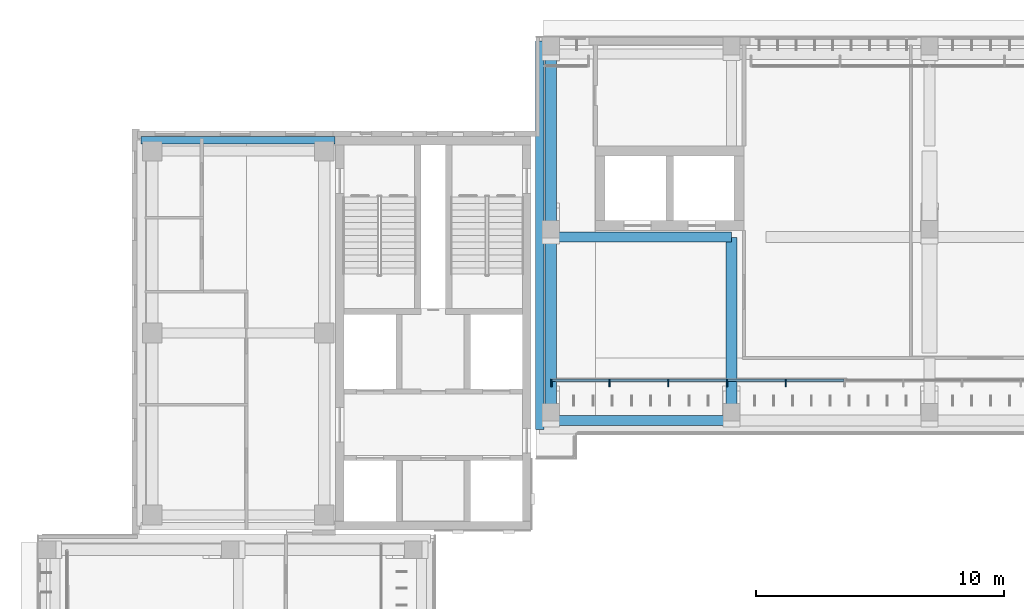
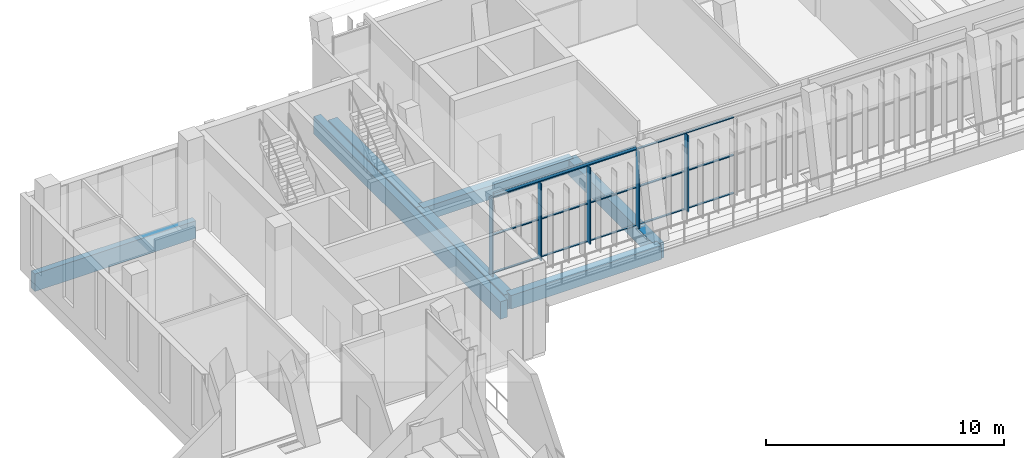
# One storey, part 22 of 74: 20 members, 8 beams, 1 element without a shape of its own.
"""IFC4 building model written with IfcOpenShell, lengths in metres."""

from ifc_helpers import new_model, si_unit, direction, frame, origin, origin_2d, place, context, subcontext, project, spatial, rectangle, hollow_rectangle, extrude, material, material_profile, profile_set, type_object, element, aggregate, save


model = new_model("IFC4")

# Units and contexts
model_context = context("Model", 3, precision=1e-05, world=origin(), true_north=direction((0.0, 1.0)))
body_context = subcontext(model_context, "Body", "Model", "MODEL_VIEW")
ifc_project = project(units=[si_unit("LENGTHUNIT", "METRE"), si_unit("AREAUNIT", "SQUARE_METRE"), si_unit("VOLUMEUNIT", "CUBIC_METRE"), si_unit("PLANEANGLEUNIT", "RADIAN"), si_unit("MASSUNIT", "GRAM", prefix="KILO")], contexts=[model_context])

# Site, building, storey
site_placement = place(None, origin())
site = spatial("IfcSite", under=ifc_project, at=site_placement, CompositionType="ELEMENT")
building_placement = place(site_placement, origin())
building = spatial("IfcBuilding", under=site, at=building_placement, Name="Lantern Court Media Centre", CompositionType="ELEMENT")
storey_placement = place(building_placement, frame((0.0, 0.0, 19.199951171875)))
storey = spatial("IfcBuildingStorey", under=building, at=storey_placement, Name="L04", CompositionType="ELEMENT", Elevation=19.199951171875)

# Curtain wall, members
ifc_material_1 = material(Name="Curtain wall bay 2400")
curtain_wall_type = type_object("IfcCurtainWallType", Name="Curtain wall bay 2400", PredefinedType="NOTDEFINED", material=ifc_material_1)
curtain_wall_placement = place(storey_placement, origin())
curtain_wall = element("IfcCurtainWall", 1, at=curtain_wall_placement, inside=storey, type_object=curtain_wall_type, Name="Curtain wall N inner L04", PredefinedType="NOTDEFINED")
ifc_material_2 = material(Name="Anodised aluminium", Category="aluminium")
ifc_material_profile_1 = material_profile(ifc_material_2, rectangle(XDim=0.300048828125, YDim=0.050048828125, at=origin_2d()), Name="AL 50x300")
ifc_profile_set_1 = profile_set([ifc_material_profile_1], Name="Anodised aluminium")
member_type_1 = type_object("IfcMemberType", Name="Curtain wall mullion 50x300", PredefinedType="MULLION", material=ifc_profile_set_1)
member_1_placement = place(storey_placement, frame((24.72509765625, 102.030029296875, 0.0), z_axis=(0.0, 0.0, 1.0), x_axis=(0.0, 1.0, 0.0)))
member_1 = element("IfcMember", 2, at=member_1_placement, type_object=member_type_1, Name="CW2 mullion 1", PredefinedType="MULLION", context=body_context, shape_type="SweptSolid", body=[
    extrude(rectangle(XDim=0.300048828125, YDim=0.050048828125, at=origin_2d()), origin(), (0.0, 0.0, 1.0), 3.949951171875),
])
member_2_placement = place(storey_placement, frame((27.073974609375, 102.030029296875, 0.0), z_axis=(0.0, 0.0, 1.0), x_axis=(0.0, 1.0, 0.0)))
member_2 = element("IfcMember", 3, at=member_2_placement, type_object=member_type_1, Name="CW2 mullion 2", PredefinedType="MULLION", context=body_context, shape_type="SweptSolid", body=[
    extrude(rectangle(XDim=0.300048828125, YDim=0.050048828125, at=origin_2d()), origin(), (0.0, 0.0, 1.0), 3.949951171875),
])
member_3_placement = place(storey_placement, frame((29.44775390625, 102.030029296875, 0.0), z_axis=(0.0, 0.0, 1.0), x_axis=(0.0, 1.0, 0.0)))
member_3 = element("IfcMember", 4, at=member_3_placement, type_object=member_type_1, Name="CW2 mullion 3", PredefinedType="MULLION", context=body_context, shape_type="SweptSolid", body=[
    extrude(rectangle(XDim=0.300048828125, YDim=0.050048828125, at=origin_2d()), origin(), (0.0, 0.0, 1.0), 3.949951171875),
])
member_4_placement = place(storey_placement, frame((31.82177734375, 102.030029296875, 0.0), z_axis=(0.0, 0.0, 1.0), x_axis=(0.0, 1.0, 0.0)))
member_4 = element("IfcMember", 5, at=member_4_placement, type_object=member_type_1, Name="CW2 mullion 4", PredefinedType="MULLION", context=body_context, shape_type="SweptSolid", body=[
    extrude(rectangle(XDim=0.300048828125, YDim=0.050048828125, at=origin_2d()), origin(), (0.0, 0.0, 1.0), 3.949951171875),
])
member_5_placement = place(storey_placement, frame((34.195556640625, 102.030029296875, 0.0), z_axis=(0.0, 0.0, 1.0), x_axis=(0.0, 1.0, 0.0)))
member_5 = element("IfcMember", 6, at=member_5_placement, type_object=member_type_1, Name="CW2 mullion 5", PredefinedType="MULLION", context=body_context, shape_type="SweptSolid", body=[
    extrude(rectangle(XDim=0.300048828125, YDim=0.050048828125, at=origin_2d()), origin(), (0.0, 0.0, 1.0), 3.949951171875),
])
ifc_material_profile_2 = material_profile(ifc_material_2, rectangle(XDim=0.10009765625, YDim=0.050048828125, at=origin_2d()), Name="AL 50x100")
ifc_profile_set_2 = profile_set([ifc_material_profile_2], Name="Anodised aluminium")
member_type_2 = type_object("IfcMemberType", Name="Curtain wall transom 100x50", PredefinedType="USERDEFINED", material=ifc_profile_set_2)
member_6_placement = place(storey_placement, frame((24.75, 102.14990234375, 0.025146484375), z_axis=(1.0, 0.0, 0.0), x_axis=(0.0, 1.0, 0.0)))
member_6 = element("IfcMember", 7, at=member_6_placement, type_object=member_type_2, Name="CW2 transom 1.1", ObjectType="TRANSOM", PredefinedType="USERDEFINED", context=body_context, shape_type="SweptSolid", body=[
    extrude(rectangle(XDim=0.10009765625, YDim=0.050048828125, at=origin_2d()), origin(), (0.0, 0.0, 1.0), 2.298828125),
])
member_7_placement = place(storey_placement, frame((24.75, 102.14990234375, 1.97509765625), z_axis=(1.0, 0.0, 0.0), x_axis=(0.0, 1.0, 0.0)))
member_7 = element("IfcMember", 8, at=member_7_placement, type_object=member_type_2, Name="CW2 transom 1.2", ObjectType="TRANSOM", PredefinedType="USERDEFINED", context=body_context, shape_type="SweptSolid", body=[
    extrude(rectangle(XDim=0.10009765625, YDim=0.050048828125, at=origin_2d()), origin(), (0.0, 0.0, 1.0), 2.298828125),
])
member_8_placement = place(storey_placement, frame((24.75, 102.14990234375, 3.925048828125), z_axis=(1.0, 0.0, 0.0), x_axis=(0.0, 1.0, 0.0)))
member_8 = element("IfcMember", 9, at=member_8_placement, type_object=member_type_2, Name="CW2 transom 1.3", ObjectType="TRANSOM", PredefinedType="USERDEFINED", context=body_context, shape_type="SweptSolid", body=[
    extrude(rectangle(XDim=0.10009765625, YDim=0.050048828125, at=origin_2d()), origin(), (0.0, 0.0, 1.0), 2.298828125),
])
member_9_placement = place(storey_placement, frame((27.098876953125, 102.14990234375, 0.025146484375), z_axis=(1.0, 0.0, 0.0), x_axis=(0.0, 1.0, 0.0)))
member_9 = element("IfcMember", 10, at=member_9_placement, type_object=member_type_2, Name="CW2 transom 2.1", ObjectType="TRANSOM", PredefinedType="USERDEFINED", context=body_context, shape_type="SweptSolid", body=[
    extrude(rectangle(XDim=0.10009765625, YDim=0.050048828125, at=origin_2d()), origin(), (0.0, 0.0, 1.0), 2.323974609375),
])
member_10_placement = place(storey_placement, frame((27.098876953125, 102.14990234375, 1.97509765625), z_axis=(1.0, 0.0, 0.0), x_axis=(0.0, 1.0, 0.0)))
member_10 = element("IfcMember", 11, at=member_10_placement, type_object=member_type_2, Name="CW2 transom 2.2", ObjectType="TRANSOM", PredefinedType="USERDEFINED", context=body_context, shape_type="SweptSolid", body=[
    extrude(rectangle(XDim=0.10009765625, YDim=0.050048828125, at=origin_2d()), origin(), (0.0, 0.0, 1.0), 2.323974609375),
])
member_11_placement = place(storey_placement, frame((27.098876953125, 102.14990234375, 3.925048828125), z_axis=(1.0, 0.0, 0.0), x_axis=(0.0, 1.0, 0.0)))
member_11 = element("IfcMember", 12, at=member_11_placement, type_object=member_type_2, Name="CW2 transom 2.3", ObjectType="TRANSOM", PredefinedType="USERDEFINED", context=body_context, shape_type="SweptSolid", body=[
    extrude(rectangle(XDim=0.10009765625, YDim=0.050048828125, at=origin_2d()), origin(), (0.0, 0.0, 1.0), 2.323974609375),
])
member_12_placement = place(storey_placement, frame((29.472900390625, 102.14990234375, 0.025146484375), z_axis=(1.0, 0.0, 0.0), x_axis=(0.0, 1.0, 0.0)))
member_12 = element("IfcMember", 13, at=member_12_placement, type_object=member_type_2, Name="CW2 transom 3.1", ObjectType="TRANSOM", PredefinedType="USERDEFINED", context=body_context, shape_type="SweptSolid", body=[
    extrude(rectangle(XDim=0.10009765625, YDim=0.050048828125, at=origin_2d()), origin(), (0.0, 0.0, 1.0), 2.32373046875),
])
member_13_placement = place(storey_placement, frame((29.472900390625, 102.14990234375, 1.97509765625), z_axis=(1.0, 0.0, 0.0), x_axis=(0.0, 1.0, 0.0)))
member_13 = element("IfcMember", 14, at=member_13_placement, type_object=member_type_2, Name="CW2 transom 3.2", ObjectType="TRANSOM", PredefinedType="USERDEFINED", context=body_context, shape_type="SweptSolid", body=[
    extrude(rectangle(XDim=0.10009765625, YDim=0.050048828125, at=origin_2d()), origin(), (0.0, 0.0, 1.0), 2.32373046875),
])
member_14_placement = place(storey_placement, frame((29.472900390625, 102.14990234375, 3.925048828125), z_axis=(1.0, 0.0, 0.0), x_axis=(0.0, 1.0, 0.0)))
member_14 = element("IfcMember", 15, at=member_14_placement, type_object=member_type_2, Name="CW2 transom 3.3", ObjectType="TRANSOM", PredefinedType="USERDEFINED", context=body_context, shape_type="SweptSolid", body=[
    extrude(rectangle(XDim=0.10009765625, YDim=0.050048828125, at=origin_2d()), origin(), (0.0, 0.0, 1.0), 2.32373046875),
])
member_15_placement = place(storey_placement, frame((31.8466796875, 102.14990234375, 0.025146484375), z_axis=(1.0, 0.0, 0.0), x_axis=(0.0, 1.0, 0.0)))
member_15 = element("IfcMember", 16, at=member_15_placement, type_object=member_type_2, Name="CW2 transom 4.1", ObjectType="TRANSOM", PredefinedType="USERDEFINED", context=body_context, shape_type="SweptSolid", body=[
    extrude(rectangle(XDim=0.10009765625, YDim=0.050048828125, at=origin_2d()), origin(), (0.0, 0.0, 1.0), 2.323974609375),
])
member_16_placement = place(storey_placement, frame((31.8466796875, 102.14990234375, 1.97509765625), z_axis=(1.0, 0.0, 0.0), x_axis=(0.0, 1.0, 0.0)))
member_16 = element("IfcMember", 17, at=member_16_placement, type_object=member_type_2, Name="CW2 transom 4.2", ObjectType="TRANSOM", PredefinedType="USERDEFINED", context=body_context, shape_type="SweptSolid", body=[
    extrude(rectangle(XDim=0.10009765625, YDim=0.050048828125, at=origin_2d()), origin(), (0.0, 0.0, 1.0), 2.323974609375),
])
member_17_placement = place(storey_placement, frame((31.8466796875, 102.14990234375, 3.925048828125), z_axis=(1.0, 0.0, 0.0), x_axis=(0.0, 1.0, 0.0)))
member_17 = element("IfcMember", 18, at=member_17_placement, type_object=member_type_2, Name="CW2 transom 4.3", ObjectType="TRANSOM", PredefinedType="USERDEFINED", context=body_context, shape_type="SweptSolid", body=[
    extrude(rectangle(XDim=0.10009765625, YDim=0.050048828125, at=origin_2d()), origin(), (0.0, 0.0, 1.0), 2.323974609375),
])
member_18_placement = place(storey_placement, frame((34.220703125, 102.14990234375, 0.025146484375), z_axis=(1.0, 0.0, 0.0), x_axis=(0.0, 1.0, 0.0)))
member_18 = element("IfcMember", 19, at=member_18_placement, type_object=member_type_2, Name="CW2 transom 5.1", ObjectType="TRANSOM", PredefinedType="USERDEFINED", context=body_context, shape_type="SweptSolid", body=[
    extrude(rectangle(XDim=0.10009765625, YDim=0.050048828125, at=origin_2d()), origin(), (0.0, 0.0, 1.0), 2.323974609375),
])
member_19_placement = place(storey_placement, frame((34.220703125, 102.14990234375, 1.97509765625), z_axis=(1.0, 0.0, 0.0), x_axis=(0.0, 1.0, 0.0)))
member_19 = element("IfcMember", 20, at=member_19_placement, type_object=member_type_2, Name="CW2 transom 5.2", ObjectType="TRANSOM", PredefinedType="USERDEFINED", context=body_context, shape_type="SweptSolid", body=[
    extrude(rectangle(XDim=0.10009765625, YDim=0.050048828125, at=origin_2d()), origin(), (0.0, 0.0, 1.0), 2.323974609375),
])
member_20_placement = place(storey_placement, frame((34.220703125, 102.14990234375, 3.925048828125), z_axis=(1.0, 0.0, 0.0), x_axis=(0.0, 1.0, 0.0)))
member_20 = element("IfcMember", 21, at=member_20_placement, type_object=member_type_2, Name="CW2 transom 5.3", ObjectType="TRANSOM", PredefinedType="USERDEFINED", context=body_context, shape_type="SweptSolid", body=[
    extrude(rectangle(XDim=0.10009765625, YDim=0.050048828125, at=origin_2d()), origin(), (0.0, 0.0, 1.0), 2.323974609375),
])
aggregate(curtain_wall, [member_1, member_2, member_3, member_4, member_5, member_6, member_7, member_8, member_9, member_10, member_11, member_12, member_13, member_14, member_15, member_16, member_17, member_18, member_19, member_20])

# Beams
ifc_material_3 = material(Name="Steel S355J2 (EN 10025-2)", Category="steel")
ifc_material_profile_3 = material_profile(ifc_material_3, hollow_rectangle(XDim=0.10009765625, YDim=0.14990234375, WallThickness=0.00634765625, InnerFilletRadius=0.00634765625, OuterFilletRadius=0.009521484375, at=origin_2d()), Name="Facade head lintel RHS 150x100x6.3")
ifc_profile_set_3 = profile_set([ifc_material_profile_3], Name="Steel S355J2 (EN 10025-2)")
beam_type_1 = type_object("IfcBeamType", Name="Facade head lintel RHS 150x100x6.3", PredefinedType="BEAM", material=ifc_profile_set_3)
beam_1_placement = place(storey_placement, frame((24.89990234375, 102.14990234375, 4.025146484375), z_axis=(1.0, 0.0, 0.0), x_axis=(0.0, 1.0, 0.0)))
element("IfcBeam", 22, at=beam_1_placement, inside=storey, type_object=beam_type_1, Name="Facade head lintel N L04", PredefinedType="BEAM", context=body_context, shape_type="SweptSolid", body=[
    extrude(hollow_rectangle(XDim=0.10009765625, YDim=0.14990234375, WallThickness=0.00634765625, InnerFilletRadius=0.00634765625, OuterFilletRadius=0.009521484375, at=origin_2d()), origin(), (0.0, 0.0, 1.0), 6.900146484375),
])
ifc_material_4 = material(Name="Concrete C35", Category="concrete")
ifc_material_profile_4 = material_profile(ifc_material_4, rectangle(XDim=0.300048828125, YDim=0.89990234375, at=origin_2d()), Name="RC 300x900")
ifc_profile_set_4 = profile_set([ifc_material_profile_4], Name="Concrete C35")
beam_type_2 = type_object("IfcBeamType", Name="RC BEAM 300x900", PredefinedType="BEAM", material=ifc_profile_set_4)
beam_2_placement = place(storey_placement, frame((8.14990234375, 111.85009765625, -0.449951171875), z_axis=(1.0, 0.0, 0.0), x_axis=(0.0, 1.0, 0.0)))
element("IfcBeam", 23, at=beam_2_placement, inside=storey, type_object=beam_type_2, Name="EB-NW-L04-N", PredefinedType="BEAM", context=body_context, shape_type="SweptSolid", body=[
    extrude(rectangle(XDim=0.300048828125, YDim=0.89990234375, at=origin_2d()), origin(), (0.0, 0.0, 1.0), 7.830078125),
])
ifc_material_profile_5 = material_profile(ifc_material_4, rectangle(XDim=0.35009765625, YDim=0.89990234375, at=origin_2d()), Name="RC 350x900")
ifc_profile_set_5 = profile_set([ifc_material_profile_5], Name="Concrete C35")
beam_type_3 = type_object("IfcBeamType", Name="RC BEAM 350x900", PredefinedType="BEAM", material=ifc_profile_set_5)
beam_3_placement = place(storey_placement, frame((24.25, 100.14990234375, -0.449951171875), z_axis=(0.0, 1.0, 0.0), x_axis=(-1.0, 0.0, 0.0)))
element("IfcBeam", 24, at=beam_3_placement, inside=storey, type_object=beam_type_3, Name="EB-N-L04-C", PredefinedType="BEAM", context=body_context, shape_type="SweptSolid", body=[
    extrude(rectangle(XDim=0.35009765625, YDim=0.89990234375, at=origin_2d()), origin(), (0.0, 0.0, 1.0), 15.7001953125),
])
ifc_material_profile_6 = material_profile(ifc_material_4, rectangle(XDim=0.39990234375, YDim=0.699951171875, at=origin_2d()), Name="RC 400x700")
ifc_profile_set_6 = profile_set([ifc_material_profile_6], Name="Concrete C35")
beam_type_4 = type_object("IfcBeamType", Name="RC BEAM 400x700", PredefinedType="BEAM", material=ifc_profile_set_6)
for number, where, z_axis, x_axis, name in (
    (25, (24.699951171875, 100.527099609375, -0.349853515625), (1.0, 0.0, 0.0), (0.0, 1.0, 0.0), "LB-N-L04-0-0"),
    (26, (24.699951171875, 107.927001953125, -0.349853515625), (1.0, 0.0, 0.0), (0.0, 1.0, 0.0), "LB-N-L04-1-0"),
):
    element("IfcBeam", number, at=place(storey_placement, frame(where, z_axis=z_axis, x_axis=x_axis)), inside=storey, type_object=beam_type_4, Name=name, PredefinedType="BEAM", context=body_context, shape_type="SweptSolid", body=[
        extrude(rectangle(XDim=0.39990234375, YDim=0.699951171875, at=origin_2d()), origin(), (0.0, 0.0, 1.0), 7.300048828125),
    ])
ifc_material_profile_7 = material_profile(ifc_material_4, rectangle(XDim=0.449951171875, YDim=0.800048828125, at=origin_2d()), Name="RC 450x800")
ifc_profile_set_7 = profile_set([ifc_material_profile_7], Name="Concrete C35")
beam_type_5 = type_object("IfcBeamType", Name="RC BEAM 450x800", PredefinedType="BEAM", material=ifc_profile_set_7)
beam_4_placement = place(storey_placement, frame((24.699951171875, 100.5166015625, -0.39990234375), z_axis=(0.0, 1.0, 0.0), x_axis=(-1.0, 0.0, 0.0)))
element("IfcBeam", 27, at=beam_4_placement, inside=storey, type_object=beam_type_5, Name="TB-N-L04-0-1", PredefinedType="BEAM", context=body_context, shape_type="SweptSolid", body=[
    extrude(rectangle(XDim=0.449951171875, YDim=0.800048828125, at=origin_2d()), origin(), (0.0, 0.0, 1.0), 7.400146484375),
])
beam_5_placement = place(storey_placement, frame((24.699951171875, 107.916748046875, -0.39990234375), z_axis=(0.0, 1.0, 0.0), x_axis=(-1.0, 0.0, 0.0)))
element("IfcBeam", 28, at=beam_5_placement, inside=storey, type_object=beam_type_5, Name="TB-N-L04-0-2", PredefinedType="BEAM", context=body_context, shape_type="SweptSolid", body=[
    extrude(rectangle(XDim=0.449951171875, YDim=0.800048828125, at=origin_2d()), origin(), (0.0, 0.0, 1.0), 7.39990234375),
])
beam_6_placement = place(storey_placement, frame((32.0, 100.5166015625, -0.39990234375), z_axis=(0.0, 1.0, 0.0), x_axis=(-1.0, 0.0, 0.0)))
element("IfcBeam", 29, at=beam_6_placement, inside=storey, type_object=beam_type_5, Name="TB-N-L04-1-1", PredefinedType="BEAM", context=body_context, shape_type="SweptSolid", body=[
    extrude(rectangle(XDim=0.449951171875, YDim=0.800048828125, at=origin_2d()), origin(), (0.0, 0.0, 1.0), 7.400146484375),
])

save(model, "model.ifc")
